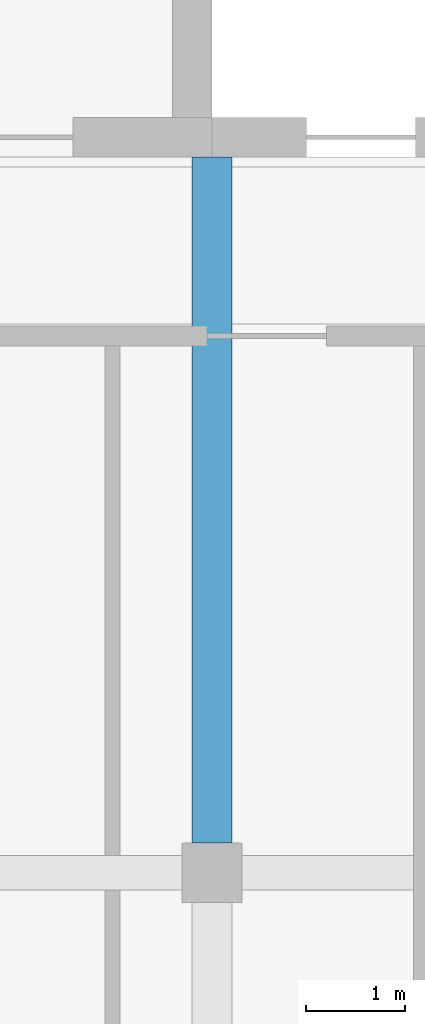
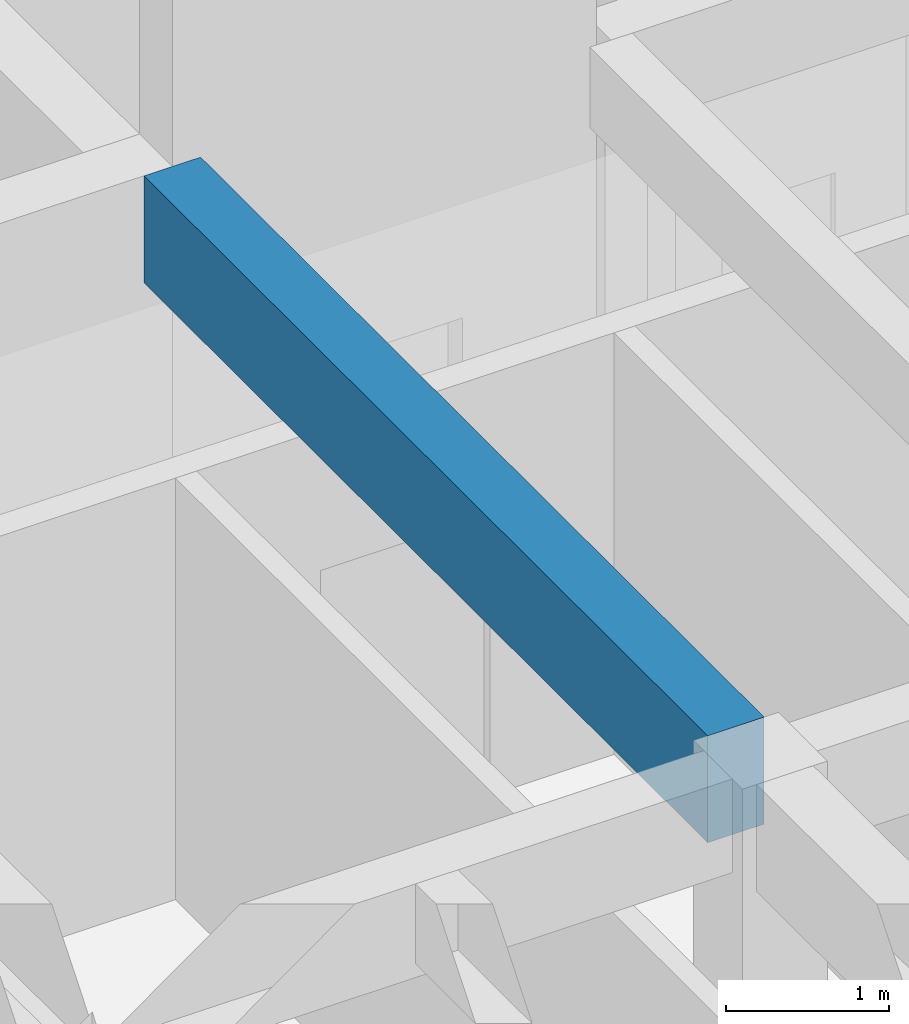
# One storey, part 22 of 101: 1 beam.
"""IFC4 building model written with IfcOpenShell, lengths in metres."""

from ifc_helpers import new_model, si_unit, direction, frame, origin, origin_2d, place, context, subcontext, project, spatial, rectangle, extrude, material, material_profile, profile_set, type_object, element, save


model = new_model("IFC4")

# Units and contexts
model_context = context("Model", 3, precision=1e-05, world=origin(), true_north=direction((0.0, 1.0)))
body_context = subcontext(model_context, "Body", "Model", "MODEL_VIEW")
ifc_project = project(units=[si_unit("LENGTHUNIT", "METRE"), si_unit("AREAUNIT", "SQUARE_METRE"), si_unit("VOLUMEUNIT", "CUBIC_METRE"), si_unit("PLANEANGLEUNIT", "RADIAN"), si_unit("MASSUNIT", "GRAM", prefix="KILO")], contexts=[model_context])

# Site, building, storey
site_placement = place(None, origin())
site = spatial("IfcSite", under=ifc_project, at=site_placement, CompositionType="ELEMENT")
building_placement = place(site_placement, origin())
building = spatial("IfcBuilding", under=site, at=building_placement, Name="Laocheng Heights Fire and Rescue Headquarters", CompositionType="ELEMENT")
storey_placement = place(building_placement, frame((0.0, 0.0, 8.39990234375)))
storey = spatial("IfcBuildingStorey", under=building, at=storey_placement, Name="L02", CompositionType="ELEMENT", Elevation=8.39990234375)

# Beam
ifc_material = material(Name="Concrete C40", Category="concrete")
ifc_material_profile = material_profile(ifc_material, rectangle(XDim=0.39990234375, YDim=0.800048828125, at=origin_2d()), Name="RC BEAM 400x800 PAVILION ROOF")
ifc_profile_set = profile_set([ifc_material_profile], Name="Concrete C40")
beam_type = type_object("IfcBeamType", Name="RC BEAM 400x800 PAVILION ROOF", PredefinedType="BEAM", material=ifc_profile_set)
beam_placement = place(storey_placement, frame((60.0, 7.5, 3.550048828125), z_axis=(0.0, 1.0, 0.0), x_axis=(-1.0, 0.0, 0.0)))
element("IfcBeam", 1, at=beam_placement, inside=storey, type_object=beam_type, Name="Pavilion beam", PredefinedType="BEAM", context=body_context, shape_type="SweptSolid", body=[
    extrude(rectangle(XDim=0.39990234375, YDim=0.800048828125, at=origin_2d()), origin(), (0.0, 0.0, 1.0), 6.89990234375),
])

save(model, "model.ifc")
